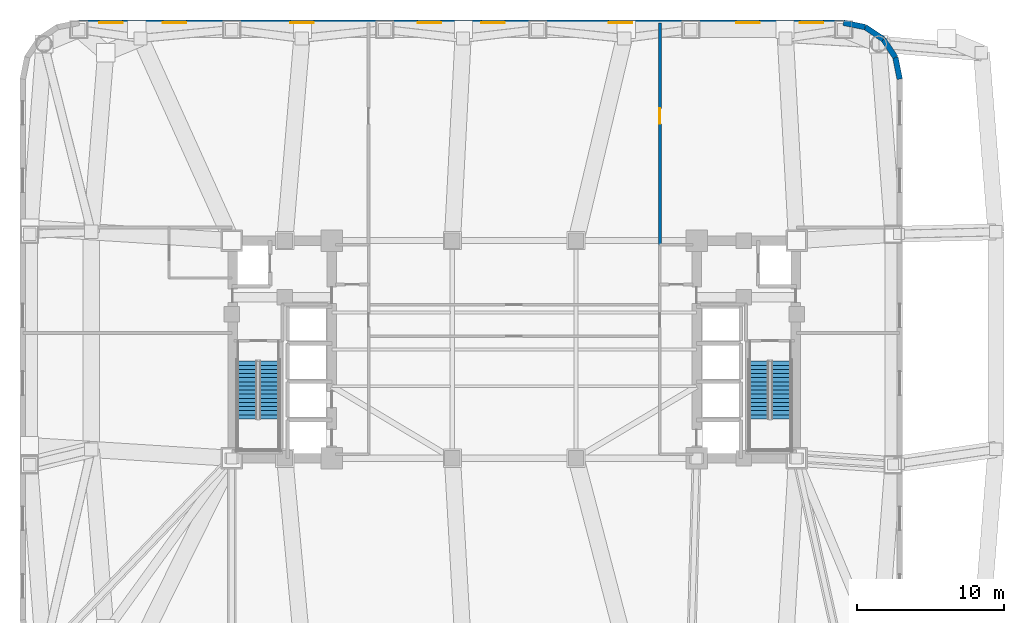
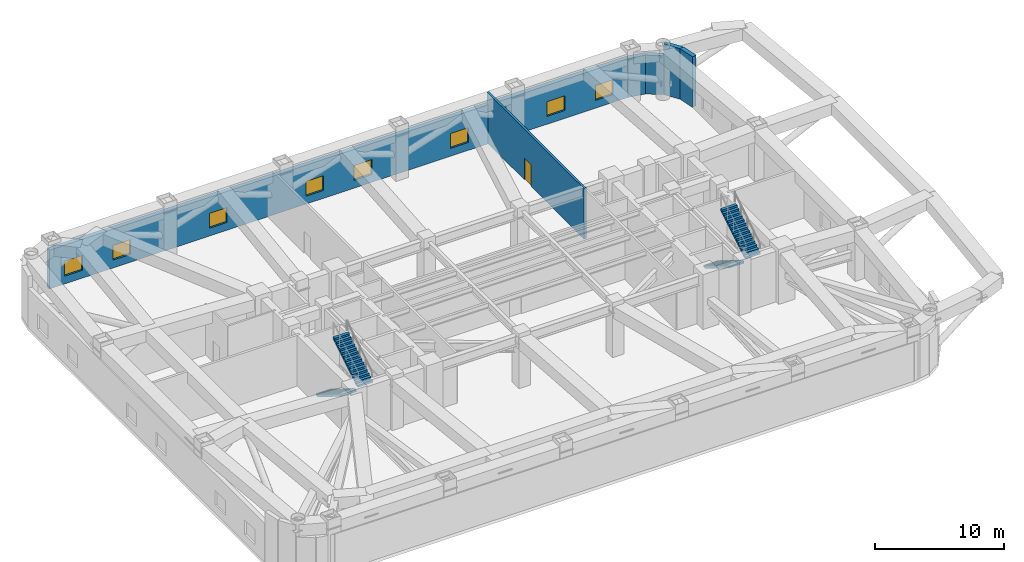
# One storey, part 7 of 9: 8 windows, 6 walls, 4 stair flights, 1 door, 9 openings, 2 elements without a shape of their own.
"""IFC4 building model written with IfcOpenShell, lengths in metres."""

from ifc_helpers import new_model, si_unit, direction, frame, frame_2d, origin, place, context, subcontext, project, spatial, polyline, rectangle, outline, extrude, material, layer, layer_set, type_object, element, fill, aggregate, save


model = new_model("IFC4")

# Units and contexts
model_context = context("Model", 3, precision=1e-05, world=origin(), true_north=direction((0.0, 1.0)))
body_context = subcontext(model_context, "Body", "Model", "MODEL_VIEW")
ifc_project = project(units=[si_unit("LENGTHUNIT", "METRE"), si_unit("AREAUNIT", "SQUARE_METRE"), si_unit("VOLUMEUNIT", "CUBIC_METRE"), si_unit("PLANEANGLEUNIT", "RADIAN"), si_unit("MASSUNIT", "GRAM", prefix="KILO")], contexts=[model_context])

# Site, building, storey
site_placement = place(None, origin())
site = spatial("IfcSite", under=ifc_project, at=site_placement, CompositionType="ELEMENT")
building_placement = place(site_placement, origin())
building = spatial("IfcBuilding", under=site, at=building_placement, Name="Voryun Gate Residences", CompositionType="ELEMENT")
storey_placement = place(building_placement, frame((0.0, 0.0, 80.60009765625)))
storey = spatial("IfcBuildingStorey", under=building, at=storey_placement, Name="L19", CompositionType="ELEMENT", Elevation=80.60009765625)

# Wall, openings, windows
ifc_material_1 = material(Name="Granite masonry", Category="masonry")
ifc_layer_1 = layer(ifc_material_1, 0.3798828125, Name="W_EXT_GRANITE_380")
ifc_layer_set_1 = layer_set([ifc_layer_1], Name="Granite masonry")
wall_type_1 = type_object("IfcWallType", Name="W_EXT_GRANITE_380", PredefinedType="ELEMENTEDWALL", material=ifc_layer_set_1)
wall_1_placement = place(storey_placement, frame((-29.581298828125, 22.2099609375, 0.0), z_axis=(0.0, 0.0, 1.0), x_axis=(1.0, 0.0, 0.0)))
wall_1 = element("IfcWall", 1, at=wall_1_placement, inside=storey, type_object=wall_type_1, Name="Exterior wall WEXT-L19-11", PredefinedType="ELEMENTEDWALL", context=body_context, shape_type="SweptSolid", body=[
    extrude(rectangle(XDim=51.962646484375, YDim=0.3798828125, at=frame_2d((25.9814453125, 0.0))), origin(), (0.0, 0.0, 1.0), 3.68994140625),
])
opening_1_placement = place(wall_1_placement, frame((1.364990234375, 0.0, 0.75)))
opening_1 = element("IfcOpeningElement", 2, at=opening_1_placement, cuts=wall_1, Name="Opening WN8", PredefinedType="OPENING", context=body_context, shape_type="SweptSolid", body=[
    extrude(rectangle(XDim=1.60009765625, YDim=1.39990234375, at=frame_2d((0.800048828125, 0.699951171875))), frame((0.0, 0.199951171875, 0.0), z_axis=(0.0, -1.0, 0.0), x_axis=(1.0, 0.0, 0.0)), (0.0, 0.0, 1.0), 0.39990234375),
])
opening_2_placement = place(wall_1_placement, frame((5.6953125, 0.0, 0.75)))
opening_2 = element("IfcOpeningElement", 3, at=opening_2_placement, cuts=wall_1, Name="Opening WN8", PredefinedType="OPENING", context=body_context, shape_type="SweptSolid", body=[
    extrude(rectangle(XDim=1.60009765625, YDim=1.39990234375, at=frame_2d((0.800048828125, 0.699951171875))), frame((0.0, 0.199951171875, 0.0), z_axis=(0.0, -1.0, 0.0), x_axis=(1.0, 0.0, 0.0)), (0.0, 0.0, 1.0), 0.39990234375),
])
opening_3_placement = place(wall_1_placement, frame((14.355712890625, 0.0, 0.75)))
opening_3 = element("IfcOpeningElement", 4, at=opening_3_placement, cuts=wall_1, Name="Opening WN8", PredefinedType="OPENING", context=body_context, shape_type="SweptSolid", body=[
    extrude(rectangle(XDim=1.60009765625, YDim=1.39990234375, at=frame_2d((0.800048828125, 0.699951171875))), frame((0.0, 0.199951171875, 0.0), z_axis=(0.0, -1.0, 0.0), x_axis=(1.0, 0.0, 0.0)), (0.0, 0.0, 1.0), 0.39990234375),
])
opening_4_placement = place(wall_1_placement, frame((23.01611328125, 0.0, 0.75)))
opening_4 = element("IfcOpeningElement", 5, at=opening_4_placement, cuts=wall_1, Name="Opening WN8", PredefinedType="OPENING", context=body_context, shape_type="SweptSolid", body=[
    extrude(rectangle(XDim=1.60009765625, YDim=1.39990234375, at=frame_2d((0.800048828125, 0.699951171875))), frame((0.0, 0.199951171875, 0.0), z_axis=(0.0, -1.0, 0.0), x_axis=(1.0, 0.0, 0.0)), (0.0, 0.0, 1.0), 0.39990234375),
])
opening_5_placement = place(wall_1_placement, frame((27.346435546875, 0.0, 0.75)))
opening_5 = element("IfcOpeningElement", 6, at=opening_5_placement, cuts=wall_1, Name="Opening WN8", PredefinedType="OPENING", context=body_context, shape_type="SweptSolid", body=[
    extrude(rectangle(XDim=1.60009765625, YDim=1.39990234375, at=frame_2d((0.800048828125, 0.699951171875))), frame((0.0, 0.199951171875, 0.0), z_axis=(0.0, -1.0, 0.0), x_axis=(1.0, 0.0, 0.0)), (0.0, 0.0, 1.0), 0.39990234375),
])
opening_6_placement = place(wall_1_placement, frame((36.0068359375, 0.0, 0.75)))
opening_6 = element("IfcOpeningElement", 7, at=opening_6_placement, cuts=wall_1, Name="Opening WN8", PredefinedType="OPENING", context=body_context, shape_type="SweptSolid", body=[
    extrude(rectangle(XDim=1.60009765625, YDim=1.39990234375, at=frame_2d((0.800048828125, 0.699951171875))), frame((0.0, 0.199951171875, 0.0), z_axis=(0.0, -1.0, 0.0), x_axis=(1.0, 0.0, 0.0)), (0.0, 0.0, 1.0), 0.39990234375),
])
opening_7_placement = place(wall_1_placement, frame((44.667236328125, 0.0, 0.75)))
opening_7 = element("IfcOpeningElement", 8, at=opening_7_placement, cuts=wall_1, Name="Opening WN8", PredefinedType="OPENING", context=body_context, shape_type="SweptSolid", body=[
    extrude(rectangle(XDim=1.60009765625, YDim=1.39990234375, at=frame_2d((0.800048828125, 0.699951171875))), frame((0.0, 0.199951171875, 0.0), z_axis=(0.0, -1.0, 0.0), x_axis=(1.0, 0.0, 0.0)), (0.0, 0.0, 1.0), 0.39990234375),
])
opening_8_placement = place(wall_1_placement, frame((48.99755859375, 0.0, 0.75)))
opening_8 = element("IfcOpeningElement", 9, at=opening_8_placement, cuts=wall_1, Name="Opening WN8", PredefinedType="OPENING", context=body_context, shape_type="SweptSolid", body=[
    extrude(rectangle(XDim=1.60009765625, YDim=1.39990234375, at=frame_2d((0.800048828125, 0.699951171875))), frame((0.0, 0.199951171875, 0.0), z_axis=(0.0, -1.0, 0.0), x_axis=(1.0, 0.0, 0.0)), (0.0, 0.0, 1.0), 0.39990234375),
])
ifc_material_2 = material(Name="Anodised aluminium", Category="aluminium")
window_type = type_object("IfcWindowType", Name="WN_REFUGE_LOUVRE_1600", PartitioningType="SINGLE_PANEL", PredefinedType="WINDOW", material=ifc_material_2)
window_1_placement = place(opening_1_placement, origin())
window_1 = element("IfcWindow", 10, at=window_1_placement, inside=storey, type_object=window_type, Name="Window WN-L19-LV-11-01", OverallHeight=1.39990234375, OverallWidth=1.60009765625, PartitioningType="SINGLE_PANEL", PredefinedType="WINDOW", context=body_context, shape_type="SweptSolid", body=[
    extrude(rectangle(XDim=1.60009765625, YDim=1.39990234375, at=frame_2d((0.800048828125, 0.699951171875))), frame((0.0, 0.030029296875, 0.0), z_axis=(0.0, -1.0, 0.0), x_axis=(1.0, 0.0, 0.0)), (0.0, 0.0, 1.0), 0.06005859375),
])
fill(opening_1, window_1)
window_2_placement = place(opening_2_placement, origin())
window_2 = element("IfcWindow", 11, at=window_2_placement, inside=storey, type_object=window_type, Name="Window WN-L19-LV-11-02", OverallHeight=1.39990234375, OverallWidth=1.60009765625, PartitioningType="SINGLE_PANEL", PredefinedType="WINDOW", context=body_context, shape_type="SweptSolid", body=[
    extrude(rectangle(XDim=1.60009765625, YDim=1.39990234375, at=frame_2d((0.800048828125, 0.699951171875))), frame((0.0, 0.030029296875, 0.0), z_axis=(0.0, -1.0, 0.0), x_axis=(1.0, 0.0, 0.0)), (0.0, 0.0, 1.0), 0.06005859375),
])
fill(opening_2, window_2)
window_3_placement = place(opening_3_placement, origin())
window_3 = element("IfcWindow", 12, at=window_3_placement, inside=storey, type_object=window_type, Name="Window WN-L19-LV-11-04", OverallHeight=1.39990234375, OverallWidth=1.60009765625, PartitioningType="SINGLE_PANEL", PredefinedType="WINDOW", context=body_context, shape_type="SweptSolid", body=[
    extrude(rectangle(XDim=1.60009765625, YDim=1.39990234375, at=frame_2d((0.800048828125, 0.699951171875))), frame((0.0, 0.030029296875, 0.0), z_axis=(0.0, -1.0, 0.0), x_axis=(1.0, 0.0, 0.0)), (0.0, 0.0, 1.0), 0.06005859375),
])
fill(opening_3, window_3)
window_4_placement = place(opening_4_placement, origin())
window_4 = element("IfcWindow", 13, at=window_4_placement, inside=storey, type_object=window_type, Name="Window WN-L19-LV-11-06", OverallHeight=1.39990234375, OverallWidth=1.60009765625, PartitioningType="SINGLE_PANEL", PredefinedType="WINDOW", context=body_context, shape_type="SweptSolid", body=[
    extrude(rectangle(XDim=1.60009765625, YDim=1.39990234375, at=frame_2d((0.800048828125, 0.699951171875))), frame((0.0, 0.030029296875, 0.0), z_axis=(0.0, -1.0, 0.0), x_axis=(1.0, 0.0, 0.0)), (0.0, 0.0, 1.0), 0.06005859375),
])
fill(opening_4, window_4)
window_5_placement = place(opening_5_placement, origin())
window_5 = element("IfcWindow", 14, at=window_5_placement, inside=storey, type_object=window_type, Name="Window WN-L19-LV-11-07", OverallHeight=1.39990234375, OverallWidth=1.60009765625, PartitioningType="SINGLE_PANEL", PredefinedType="WINDOW", context=body_context, shape_type="SweptSolid", body=[
    extrude(rectangle(XDim=1.60009765625, YDim=1.39990234375, at=frame_2d((0.800048828125, 0.699951171875))), frame((0.0, 0.030029296875, 0.0), z_axis=(0.0, -1.0, 0.0), x_axis=(1.0, 0.0, 0.0)), (0.0, 0.0, 1.0), 0.06005859375),
])
fill(opening_5, window_5)
window_6_placement = place(opening_6_placement, origin())
window_6 = element("IfcWindow", 15, at=window_6_placement, inside=storey, type_object=window_type, Name="Window WN-L19-LV-11-09", OverallHeight=1.39990234375, OverallWidth=1.60009765625, PartitioningType="SINGLE_PANEL", PredefinedType="WINDOW", context=body_context, shape_type="SweptSolid", body=[
    extrude(rectangle(XDim=1.60009765625, YDim=1.39990234375, at=frame_2d((0.800048828125, 0.699951171875))), frame((0.0, 0.030029296875, 0.0), z_axis=(0.0, -1.0, 0.0), x_axis=(1.0, 0.0, 0.0)), (0.0, 0.0, 1.0), 0.06005859375),
])
fill(opening_6, window_6)
window_7_placement = place(opening_7_placement, origin())
window_7 = element("IfcWindow", 16, at=window_7_placement, inside=storey, type_object=window_type, Name="Window WN-L19-LV-11-11", OverallHeight=1.39990234375, OverallWidth=1.60009765625, PartitioningType="SINGLE_PANEL", PredefinedType="WINDOW", context=body_context, shape_type="SweptSolid", body=[
    extrude(rectangle(XDim=1.60009765625, YDim=1.39990234375, at=frame_2d((0.800048828125, 0.699951171875))), frame((0.0, 0.030029296875, 0.0), z_axis=(0.0, -1.0, 0.0), x_axis=(1.0, 0.0, 0.0)), (0.0, 0.0, 1.0), 0.06005859375),
])
fill(opening_7, window_7)
window_8_placement = place(opening_8_placement, origin())
window_8 = element("IfcWindow", 17, at=window_8_placement, inside=storey, type_object=window_type, Name="Window WN-L19-LV-11-12", OverallHeight=1.39990234375, OverallWidth=1.60009765625, PartitioningType="SINGLE_PANEL", PredefinedType="WINDOW", context=body_context, shape_type="SweptSolid", body=[
    extrude(rectangle(XDim=1.60009765625, YDim=1.39990234375, at=frame_2d((0.800048828125, 0.699951171875))), frame((0.0, 0.030029296875, 0.0), z_axis=(0.0, -1.0, 0.0), x_axis=(1.0, 0.0, 0.0)), (0.0, 0.0, 1.0), 0.06005859375),
])
fill(opening_8, window_8)

# Walls
wall_2_placement = place(storey_placement, frame((22.38134765625, 22.2099609375, 0.0), z_axis=(0.0, 0.0, 1.0), x_axis=(0.980786132421, -0.195086038585, 0.0)))
element("IfcWall", 18, at=wall_2_placement, inside=storey, type_object=wall_type_1, Name="Exterior wall WEXT-L19-12", PredefinedType="ELEMENTEDWALL", context=body_context, shape_type="SweptSolid", body=[
    extrude(rectangle(XDim=1.504150390625, YDim=0.3798828125, at=frame_2d((0.751953125, 0.0))), origin(), (0.0, 0.0, 1.0), 3.68994140625),
])
wall_3_placement = place(storey_placement, frame((23.856689453125, 21.91650390625, 0.0), z_axis=(0.0, 0.0, 1.0), x_axis=(0.831392092774, -0.555686231674, 0.0)))
element("IfcWall", 19, at=wall_3_placement, inside=storey, type_object=wall_type_1, Name="Exterior wall WEXT-L19-13", PredefinedType="ELEMENTEDWALL", context=body_context, shape_type="SweptSolid", body=[
    extrude(rectangle(XDim=1.485107421875, YDim=0.3798828125, at=frame_2d((0.74267578125, 0.0))), origin(), (0.0, 0.0, 1.0), 3.68994140625),
])
wall_4_placement = place(storey_placement, frame((25.09130859375, 21.09130859375, 0.0), z_axis=(0.0, 0.0, 1.0), x_axis=(0.555686231674, -0.831392092774, 0.0)))
element("IfcWall", 20, at=wall_4_placement, inside=storey, type_object=wall_type_1, Name="Exterior wall WEXT-L19-14", PredefinedType="ELEMENTEDWALL", context=body_context, shape_type="SweptSolid", body=[
    extrude(rectangle(XDim=1.485107421875, YDim=0.3798828125, at=frame_2d((0.74267578125, 0.0))), origin(), (0.0, 0.0, 1.0), 4.7998046875),
])
wall_5_placement = place(storey_placement, frame((25.91650390625, 19.856689453125, 0.0), z_axis=(0.0, 0.0, 1.0), x_axis=(0.195086038585, -0.980786132421, 0.0)))
element("IfcWall", 21, at=wall_5_placement, inside=storey, type_object=wall_type_1, Name="Exterior wall WEXT-L19-15", PredefinedType="ELEMENTEDWALL", context=body_context, shape_type="SweptSolid", body=[
    extrude(rectangle(XDim=1.504150390625, YDim=0.3798828125, at=frame_2d((0.751953125, 0.0))), origin(), (0.0, 0.0, 1.0), 4.7998046875),
])

# Wall, opening, door
ifc_material_3 = material(Name="Concrete C40/50", Category="concrete")
ifc_layer_2 = layer(ifc_material_3, 0.199951171875, Name="W_FF_LOBBY_200")
ifc_layer_set_2 = layer_set([ifc_layer_2], Name="Concrete C40/50")
wall_type_2 = type_object("IfcWallType", Name="W_FF_LOBBY_200", PredefinedType="PARTITIONING", material=ifc_layer_set_2)
wall_6_placement = place(storey_placement, frame((9.89990234375, 7.10009765625, 0.0), z_axis=(0.0, 0.0, 1.0), x_axis=(0.0, 1.0, 0.0)))
wall_6 = element("IfcWall", 22, at=wall_6_placement, inside=storey, type_object=wall_type_2, Name="Partition wall WP-L19-PL1E", PredefinedType="PARTITIONING", context=body_context, shape_type="SweptSolid", body=[
    extrude(rectangle(XDim=15.10986328125, YDim=0.199951171875, at=frame_2d((7.554931640625, 0.0))), origin(), (0.0, 0.0, 1.0), 4.7998046875),
])
opening_9_placement = place(wall_6_placement, frame((8.23876953125, 0.0, 0.0)))
opening_9 = element("IfcOpeningElement", 23, at=opening_9_placement, cuts=wall_6, Name="Opening D-FD60-1", PredefinedType="OPENING", context=body_context, shape_type="SweptSolid", body=[
    extrude(rectangle(XDim=1.050048828125, YDim=2.050048828125, at=frame_2d((0.52490234375, 1.02490234375))), frame((0.0, 0.110107421875, 0.0), z_axis=(0.0, -1.0, 0.0), x_axis=(1.0, 0.0, 0.0)), (0.0, 0.0, 1.0), 0.219970703125),
])
ifc_material_4 = material(Name="Painted steel fire door", Category="steel")
door_type = type_object("IfcDoorType", Name="DR_FD60_STAIR_1050", OperationType="NOTDEFINED", PredefinedType="DOOR", material=ifc_material_4)
door_placement = place(opening_9_placement, origin())
door = element("IfcDoor", 24, at=door_placement, inside=storey, type_object=door_type, Name="Door DR-L19-PL4", OperationType="SINGLE_SWING_RIGHT", OverallHeight=2.050048828125, OverallWidth=1.050048828125, PredefinedType="DOOR", context=body_context, shape_type="SweptSolid", body=[
    extrude(rectangle(XDim=1.050048828125, YDim=2.050048828125, at=frame_2d((0.52490234375, 1.02490234375))), frame((0.0, 0.02490234375, 0.0), z_axis=(0.0, -1.0, 0.0), x_axis=(1.0, 0.0, 0.0)), (0.0, 0.0, 1.0), 0.050048828125),
])
fill(opening_9, door)

# Stair, stair flights
ifc_material_5 = material(Name="Concrete C40/50", Category="concrete")
stair_type = type_object("IfcStairType", Name="STR_CORE_DOGLEG_1350", PredefinedType="HALF_TURN_STAIR", material=ifc_material_5)
stair_1_placement = place(storey_placement, origin())
stair_1 = element("IfcStair", 25, at=stair_1_placement, inside=storey, type_object=stair_type, Name="L19 Special Escape Stair ST-W1", PredefinedType="HALF_TURN_STAIR")
ifc_material_6 = material(Name="Concrete C40/50", Category="concrete")
stair_flight_type = type_object("IfcStairFlightType", Name="FLT_CORE_1350", PredefinedType="STRAIGHT", material=ifc_material_6)
stair_flight_1_placement = place(storey_placement, frame((-18.14990234375, -0.800048828125, 0.0), z_axis=(0.0, 0.0, 1.0), x_axis=(0.0, -1.0, 0.0)))
stair_flight_1 = element("IfcStairFlight", 26, at=stair_flight_1_placement, type_object=stair_flight_type, Name="ST-W1 flight 1", NumberOfRisers=15, NumberOfTreads=14, PredefinedType="STRAIGHT", RiserHeight=0.173333333, TreadLength=0.28, context=body_context, shape_type="SweptSolid", body=[
    extrude(outline(polyline([(0.0, 0.0), (0.0, 0.17333984375), (0.280029296875, 0.17333984375), (0.280029296875, 0.3466796875), (0.56005859375, 0.3466796875), (0.56005859375, 0.52001953125), (0.840087890625, 0.52001953125), (0.840087890625, 0.693359375), (1.1201171875, 0.693359375), (1.1201171875, 0.86669921875), (1.39990234375, 0.86669921875), (1.39990234375, 1.0400390625), (1.679931640625, 1.0400390625), (1.679931640625, 1.21337890625), (1.9599609375, 1.21337890625), (1.9599609375, 1.38671875), (2.239990234375, 1.38671875), (2.239990234375, 1.56005859375), (2.52001953125, 1.56005859375), (2.52001953125, 1.7333984375), (2.800048828125, 1.7333984375), (2.800048828125, 1.90673828125), (3.080078125, 1.90673828125), (3.080078125, 2.080078125), (3.360107421875, 2.080078125), (3.360107421875, 2.25341796875), (3.639892578125, 2.25341796875), (3.639892578125, 2.4267578125), (3.919921875, 2.4267578125), (3.919921875, 2.60009765625), (3.919921875, 2.250244140625), (0.284912109375, 0.0), (0.0, 0.0)])), frame((0.0, 0.675048828125, 0.0), z_axis=(0.0, -1.0, 0.0), x_axis=(1.0, 0.0, 0.0)), (0.0, 0.0, 1.0), 1.35009765625),
])
stair_flight_2_placement = place(storey_placement, frame((-16.64990234375, -4.719970703125, 2.599853515625), z_axis=(0.0, 0.0, 1.0), x_axis=(0.0, 1.0, 0.0)))
stair_flight_2 = element("IfcStairFlight", 27, at=stair_flight_2_placement, type_object=stair_flight_type, Name="ST-W1 flight 2", NumberOfRisers=15, NumberOfTreads=14, PredefinedType="STRAIGHT", RiserHeight=0.173333333, TreadLength=0.28, context=body_context, shape_type="SweptSolid", body=[
    extrude(outline(polyline([(0.0, 0.0), (0.0, 0.17333984375), (0.280029296875, 0.17333984375), (0.280029296875, 0.3466796875), (0.56005859375, 0.3466796875), (0.56005859375, 0.52001953125), (0.840087890625, 0.52001953125), (0.840087890625, 0.693359375), (1.1201171875, 0.693359375), (1.1201171875, 0.86669921875), (1.39990234375, 0.86669921875), (1.39990234375, 1.0400390625), (1.679931640625, 1.0400390625), (1.679931640625, 1.21337890625), (1.9599609375, 1.21337890625), (1.9599609375, 1.38671875), (2.239990234375, 1.38671875), (2.239990234375, 1.56005859375), (2.52001953125, 1.56005859375), (2.52001953125, 1.7333984375), (2.800048828125, 1.7333984375), (2.800048828125, 1.90673828125), (3.080078125, 1.90673828125), (3.080078125, 2.080078125), (3.360107421875, 2.080078125), (3.360107421875, 2.25341796875), (3.639892578125, 2.25341796875), (3.639892578125, 2.4267578125), (3.919921875, 2.4267578125), (3.919921875, 2.60009765625), (3.919921875, 2.250244140625), (0.284912109375, 0.0), (0.0, 0.0)])), frame((0.0, 0.675048828125, 0.0), z_axis=(0.0, -1.0, 0.0), x_axis=(1.0, 0.0, 0.0)), (0.0, 0.0, 1.0), 1.35009765625),
])
aggregate(stair_1, [stair_flight_1, stair_flight_2])

stair_2_placement = place(storey_placement, origin())
stair_2 = element("IfcStair", 28, at=stair_2_placement, inside=storey, type_object=stair_type, Name="L19 Special Escape Stair ST-E1", PredefinedType="HALF_TURN_STAIR")
stair_flight_3_placement = place(storey_placement, frame((16.64990234375, -0.800048828125, 0.0), z_axis=(0.0, 0.0, 1.0), x_axis=(0.0, -1.0, 0.0)))
stair_flight_3 = element("IfcStairFlight", 29, at=stair_flight_3_placement, type_object=stair_flight_type, Name="ST-E1 flight 1", NumberOfRisers=15, NumberOfTreads=14, PredefinedType="STRAIGHT", RiserHeight=0.173333333, TreadLength=0.28, context=body_context, shape_type="SweptSolid", body=[
    extrude(outline(polyline([(0.0, 0.0), (0.0, 0.17333984375), (0.280029296875, 0.17333984375), (0.280029296875, 0.3466796875), (0.56005859375, 0.3466796875), (0.56005859375, 0.52001953125), (0.840087890625, 0.52001953125), (0.840087890625, 0.693359375), (1.1201171875, 0.693359375), (1.1201171875, 0.86669921875), (1.39990234375, 0.86669921875), (1.39990234375, 1.0400390625), (1.679931640625, 1.0400390625), (1.679931640625, 1.21337890625), (1.9599609375, 1.21337890625), (1.9599609375, 1.38671875), (2.239990234375, 1.38671875), (2.239990234375, 1.56005859375), (2.52001953125, 1.56005859375), (2.52001953125, 1.7333984375), (2.800048828125, 1.7333984375), (2.800048828125, 1.90673828125), (3.080078125, 1.90673828125), (3.080078125, 2.080078125), (3.360107421875, 2.080078125), (3.360107421875, 2.25341796875), (3.639892578125, 2.25341796875), (3.639892578125, 2.4267578125), (3.919921875, 2.4267578125), (3.919921875, 2.60009765625), (3.919921875, 2.250244140625), (0.284912109375, 0.0), (0.0, 0.0)])), frame((0.0, 0.675048828125, 0.0), z_axis=(0.0, -1.0, 0.0), x_axis=(1.0, 0.0, 0.0)), (0.0, 0.0, 1.0), 1.35009765625),
])
stair_flight_4_placement = place(storey_placement, frame((18.14990234375, -4.719970703125, 2.599853515625), z_axis=(0.0, 0.0, 1.0), x_axis=(0.0, 1.0, 0.0)))
stair_flight_4 = element("IfcStairFlight", 30, at=stair_flight_4_placement, type_object=stair_flight_type, Name="ST-E1 flight 2", NumberOfRisers=15, NumberOfTreads=14, PredefinedType="STRAIGHT", RiserHeight=0.173333333, TreadLength=0.28, context=body_context, shape_type="SweptSolid", body=[
    extrude(outline(polyline([(0.0, 0.0), (0.0, 0.17333984375), (0.280029296875, 0.17333984375), (0.280029296875, 0.3466796875), (0.56005859375, 0.3466796875), (0.56005859375, 0.52001953125), (0.840087890625, 0.52001953125), (0.840087890625, 0.693359375), (1.1201171875, 0.693359375), (1.1201171875, 0.86669921875), (1.39990234375, 0.86669921875), (1.39990234375, 1.0400390625), (1.679931640625, 1.0400390625), (1.679931640625, 1.21337890625), (1.9599609375, 1.21337890625), (1.9599609375, 1.38671875), (2.239990234375, 1.38671875), (2.239990234375, 1.56005859375), (2.52001953125, 1.56005859375), (2.52001953125, 1.7333984375), (2.800048828125, 1.7333984375), (2.800048828125, 1.90673828125), (3.080078125, 1.90673828125), (3.080078125, 2.080078125), (3.360107421875, 2.080078125), (3.360107421875, 2.25341796875), (3.639892578125, 2.25341796875), (3.639892578125, 2.4267578125), (3.919921875, 2.4267578125), (3.919921875, 2.60009765625), (3.919921875, 2.250244140625), (0.284912109375, 0.0), (0.0, 0.0)])), frame((0.0, 0.675048828125, 0.0), z_axis=(0.0, -1.0, 0.0), x_axis=(1.0, 0.0, 0.0)), (0.0, 0.0, 1.0), 1.35009765625),
])
aggregate(stair_2, [stair_flight_3, stair_flight_4])

save(model, "model.ifc")
